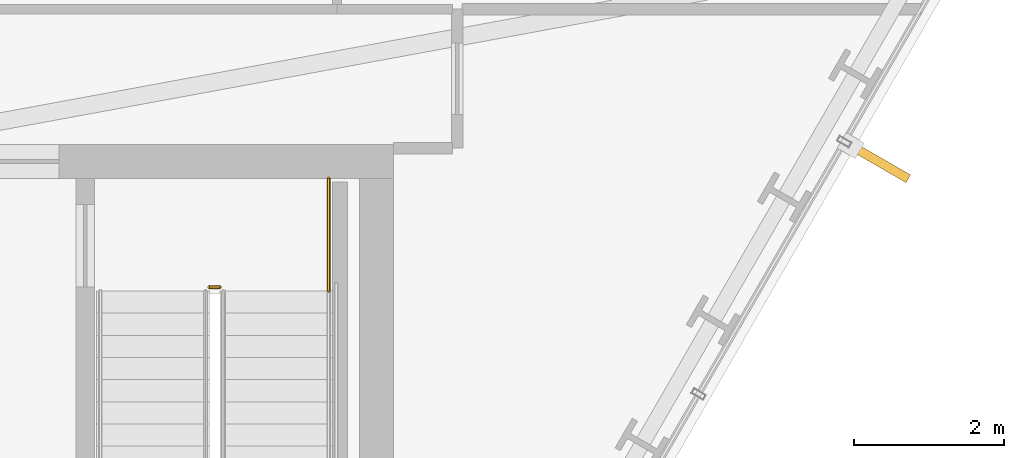
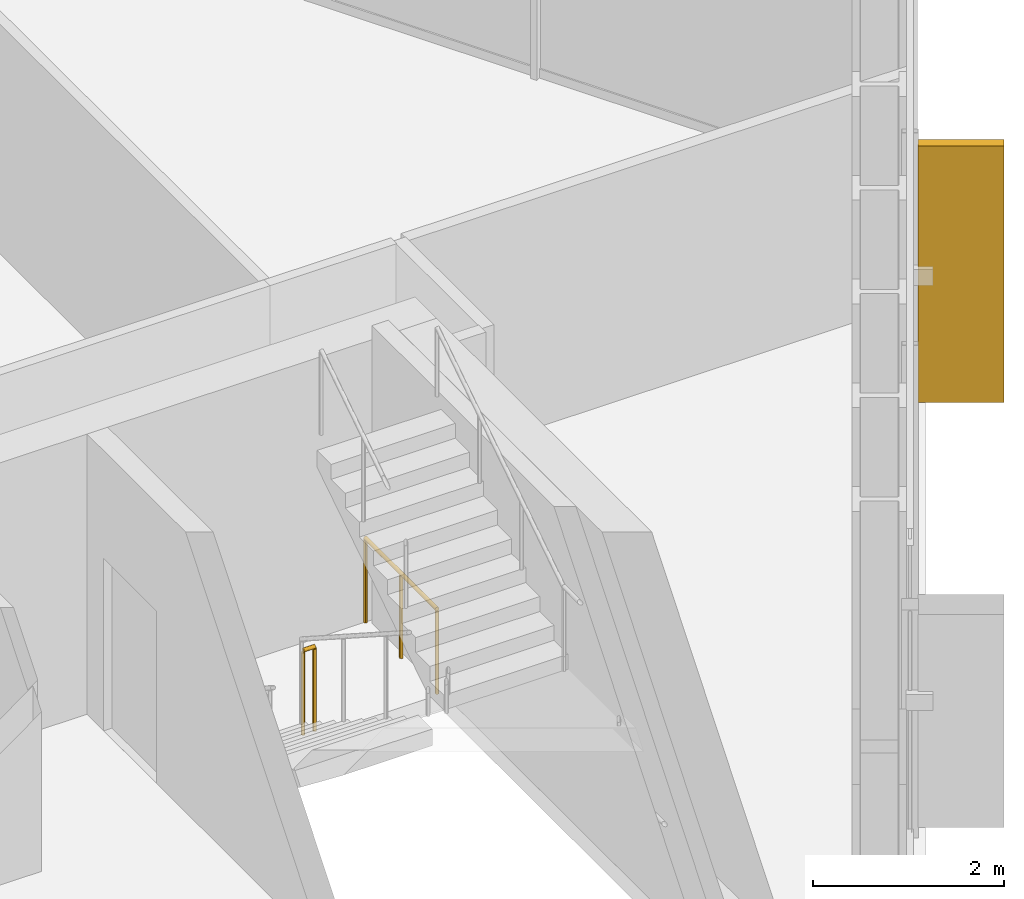
# One storey, part 31 of 32: 2 railings, 1 shading device.
"""IFC4 building model written with IfcOpenShell, lengths in metres."""

import ifcopenshell
import ifcopenshell.guid

model = None  # the IFC model being written
_history = None  # IfcOwnerHistory: only IFC2X3 demands one
_inside = {}  # id of a spatial element -> (the spatial element, [elements in it])
_under = {}  # id of a project, library or spatial element -> (it, [spatial elements below it])
_declared = {}  # id of a project -> (the project, [libraries it declares])
_typed = {}  # id of a type object -> (the type object, [elements of that type])
_made_of = {}  # id of a material, layer set ... -> (it, [elements and type objects made of it])


def new_model(schema):
    """Start an empty IFC model of exactly this schema.

    Asked for "IFC4X3", IfcOpenShell would pick the latest addendum, in which some entities
    have other attributes; the version numbers below select the first issue.
    IFC2X3 requires an IfcOwnerHistory on every rooted entity: one is made here for all.
    """
    global model, _history
    if schema == "IFC4X3":
        model = ifcopenshell.file(schema_version=(4, 3, 0, 0))
    else:
        model = ifcopenshell.file(schema=schema)
    _inside.clear()
    _under.clear()
    _declared.clear()
    _typed.clear()
    _made_of.clear()
    _history = None
    if model.schema == "IFC2X3":
        org = make("IfcOrganization", Name="unknown")
        user = make(
            "IfcPersonAndOrganization",
            ThePerson=make("IfcPerson", FamilyName="unknown"),
            TheOrganization=org,
        )
        app = make(
            "IfcApplication",
            ApplicationDeveloper=org,
            Version="unknown",
            ApplicationFullName="unknown",
            ApplicationIdentifier="unknown",
        )
        _history = make(
            "IfcOwnerHistory",
            OwningUser=user,
            OwningApplication=app,
            ChangeAction="ADDED",
            CreationDate=0,
        )
    return model


def make(cls, **values):
    """One entity of the class cls with the attributes given. An attribute that is None is left unset."""
    return model.create_entity(
        cls, **{name: value for name, value in values.items() if value is not None}
    )


def rooted(cls, **values):
    """An entity with a GlobalId (a new one), such as an element, a storey or a relation."""
    return make(cls, GlobalId=ifcopenshell.guid.new(), OwnerHistory=_history, **values)


def si_unit(unit_type, name, prefix=None):
    """IfcSIUnit, for example si_unit("LENGTHUNIT", "METRE", prefix="MILLI")."""
    return make("IfcSIUnit", UnitType=unit_type, Prefix=prefix, Name=name)


def assignment(units):
    """IfcUnitAssignment: the units of a project."""
    return None if units is None else make("IfcUnitAssignment", Units=units)


def point(xyz):
    """IfcCartesianPoint."""
    return None if xyz is None else make("IfcCartesianPoint", Coordinates=xyz)


def direction(xyz):
    """IfcDirection."""
    return None if xyz is None else make("IfcDirection", DirectionRatios=xyz)


def frame(location, z_axis=None, x_axis=None):
    """IfcAxis2Placement3D, a coordinate frame: its origin and axes. An axis left out is left unset."""
    return make(
        "IfcAxis2Placement3D",
        Location=point(location),
        Axis=direction(z_axis),
        RefDirection=direction(x_axis),
    )


def frame_2d(location, x_axis=None):
    """IfcAxis2Placement2D, a coordinate frame in the plane: its origin and x axis."""
    return make(
        "IfcAxis2Placement2D", Location=point(location), RefDirection=direction(x_axis)
    )


def origin():
    """The frame at (0, 0, 0) with its axes left unset."""
    return frame((0.0, 0.0, 0.0))


def origin_2d():
    """The frame at (0, 0) in the plane with its x axis left unset."""
    return frame_2d((0.0, 0.0))


def place(relative_to, where):
    """IfcLocalPlacement: puts the frame where relative to a parent placement (None: the world)."""
    return make(
        "IfcLocalPlacement", PlacementRelTo=relative_to, RelativePlacement=where
    )


def context(
    kind, dimensions, precision=None, world=None, true_north=None, identifier=None
):
    """IfcGeometricRepresentationContext, for example the 3D "Model" context."""
    return make(
        "IfcGeometricRepresentationContext",
        ContextIdentifier=identifier,
        ContextType=kind,
        CoordinateSpaceDimension=dimensions,
        Precision=precision,
        WorldCoordinateSystem=world,
        TrueNorth=true_north,
    )


def subcontext(parent, identifier, kind, view, scale=None):
    """IfcGeometricRepresentationSubContext, for example "Body" below "Model"."""
    return make(
        "IfcGeometricRepresentationSubContext",
        ContextIdentifier=identifier,
        ContextType=kind,
        ParentContext=parent,
        TargetScale=scale,
        TargetView=view,
    )


def project(units=None, contexts=None):
    """IfcProject with its units and contexts."""
    return rooted(
        "IfcProject",
        Name="project",
        RepresentationContexts=contexts,
        UnitsInContext=assignment(units),
    )


def spatial(cls, under=None, at=None, **own):
    """A site, building, storey or space (cls), placed at a placement, below another one or the project."""
    s = rooted(cls, ObjectPlacement=at, **own)
    if under is not None:
        _under.setdefault(under.id(), (under, []))[1].append(s)
    return s


def profile(cls, at=None, kind="AREA", **sizes):
    """A parametric profile (cls). Its sizes go by their IFC names, for example OverallWidth=200.0."""
    return make(cls, ProfileType=kind, Position=at, **sizes)


def rectangle(**sizes):
    """IfcRectangleProfileDef."""
    return profile("IfcRectangleProfileDef", **sizes)


def circle(**sizes):
    """IfcCircleProfileDef."""
    return profile("IfcCircleProfileDef", **sizes)


def extrude(swept, where, along, depth):
    """IfcExtrudedAreaSolid: the profile swept, set in the frame where, extruded along a direction by depth."""
    return make(
        "IfcExtrudedAreaSolid",
        SweptArea=swept,
        Position=where,
        ExtrudedDirection=direction(along),
        Depth=depth,
    )


def shape(context_of_items, identifier, shape_type, items):
    """IfcShapeRepresentation: the items that make up one representation, for example the "Body"."""
    return make(
        "IfcShapeRepresentation",
        ContextOfItems=context_of_items,
        RepresentationIdentifier=identifier,
        RepresentationType=shape_type,
        Items=items,
    )


def material(Name=None, Category=None):
    """IfcMaterial."""
    return make("IfcMaterial", Name=Name, Category=Category)


def layer(
    of_material, thickness, ventilated=None, Name=None, Category=None, Priority=None
):
    """IfcMaterialLayer: one layer of a wall or slab, of a material (None: an air gap)."""
    return make(
        "IfcMaterialLayer",
        Material=of_material,
        LayerThickness=thickness,
        IsVentilated=ventilated,
        Name=Name,
        Category=Category,
        Priority=Priority,
    )


def layer_set(layers, Name=None):
    """IfcMaterialLayerSet."""
    return make("IfcMaterialLayerSet", MaterialLayers=layers, LayerSetName=Name)


def made_of(thing, what):
    """Note that an element or type object is made of a material, layer set ...; save() writes the relation."""
    if what is not None:
        _made_of.setdefault(what.id(), (what, []))[1].append(thing)
    return thing


def type_object(cls, material=None, **own):
    """A type object (cls), such as IfcWallType, which elements share."""
    return made_of(rooted(cls, **own), material)


def element(
    cls,
    number,
    at=None,
    inside=None,
    cuts=None,
    type_object=None,
    material=None,
    context=None,
    identifier="Body",
    shape_type=None,
    held_by="IfcProductDefinitionShape",
    body=None,
    shapes=None,
    **own,
):
    """One element of the class cls, such as IfcWall. Its Tag is "e" and its number.

    at: its placement. inside: the storey or other place that contains it. cuts: it is an
    opening in that element (IfcRelVoidsElement). A single representation is given by context,
    identifier, shape_type and body (its items); several are given by shapes. held_by: the class
    of the entity that holds the representations. save() writes the other relations.
    """
    e = rooted(cls, Tag="e%d" % number, ObjectPlacement=at, **own)
    if body is not None:
        shapes = [shape(context, identifier, shape_type, body)]
    if shapes is not None:
        e.Representation = make(held_by, Representations=shapes)
    if inside is not None:
        _inside.setdefault(inside.id(), (inside, []))[1].append(e)
    if cuts is not None:
        rooted(
            "IfcRelVoidsElement", RelatingBuildingElement=cuts, RelatedOpeningElement=e
        )
    if type_object is not None:
        _typed.setdefault(type_object.id(), (type_object, []))[1].append(e)
    return made_of(e, material)


def aggregate(whole, parts):
    """IfcRelAggregates: a whole, such as a stair, and the parts it consists of."""
    return rooted("IfcRelAggregates", RelatingObject=whole, RelatedObjects=parts)


def save(model, path):
    """Write the relations noted so far, then the file.

    IfcRelAggregates (storeys below a building ...), IfcRelContainedInSpatialStructure (elements
    in a storey), IfcRelDefinesByType, IfcRelAssociatesMaterial and IfcRelDeclares: one each for
    every whole, place, type object, material and project.
    """
    for whole, parts in _under.values():
        aggregate(whole, parts)
    for where, things in _inside.values():
        rooted(
            "IfcRelContainedInSpatialStructure",
            RelatedElements=things,
            RelatingStructure=where,
        )
    for kind, things in _typed.values():
        rooted("IfcRelDefinesByType", RelatedObjects=things, RelatingType=kind)
    for what, things in _made_of.values():
        rooted("IfcRelAssociatesMaterial", RelatedObjects=things, RelatingMaterial=what)
    for by, libraries in _declared.values():
        rooted("IfcRelDeclares", RelatingContext=by, RelatedDefinitions=libraries)
    model.write(path)


model = new_model("IFC4")

# Units and contexts
model_context = context("Model", 3, precision=1e-05, world=origin(), true_north=direction((0.0, 1.0)))
body_context = subcontext(model_context, "Body", "Model", "MODEL_VIEW")
ifc_project = project(units=[si_unit("LENGTHUNIT", "METRE"), si_unit("AREAUNIT", "SQUARE_METRE"), si_unit("VOLUMEUNIT", "CUBIC_METRE"), si_unit("PLANEANGLEUNIT", "RADIAN"), si_unit("MASSUNIT", "GRAM", prefix="KILO")], contexts=[model_context])

# Site, building, storey
site_placement = place(None, origin())
site = spatial("IfcSite", under=ifc_project, at=site_placement, CompositionType="ELEMENT")
building_placement = place(site_placement, origin())
building = spatial("IfcBuilding", under=site, at=building_placement, Name="Ndaravel Arena Tower", CompositionType="ELEMENT")
storey_placement = place(building_placement, frame((0.0, 0.0, 58.800048828125)))
storey = spatial("IfcBuildingStorey", under=building, at=storey_placement, Name="L12", CompositionType="ELEMENT", Elevation=58.800048828125)

# Railings
ifc_material_1 = material(Name="Steel S355", Category="steel")
ifc_layer = layer(ifc_material_1, 0.06005859375)
ifc_layer_set = layer_set([ifc_layer], Name="Steel S355")
railing_type = type_object("IfcRailingType", Name="RAIL-STAIR-GD1100", PredefinedType="GUARDRAIL", material=ifc_layer_set)
railing_1_placement = place(storey_placement, frame((55.10009765625, 13.300048828125, 0.0)))
element("IfcRailing", 1, at=railing_1_placement, inside=storey, type_object=railing_type, Name="L12 ST-3 stair guard 4", PredefinedType="GUARDRAIL", context=body_context, shape_type="SweptSolid", body=[
    extrude(circle(Radius=0.02392578125, at=origin_2d()), frame((0.0, 0.0, 1.076171875), z_axis=(1.0, 0.0, 0.0), x_axis=(0.0, 1.0, 0.0)), (0.0, 0.0, 1.0), 0.139892578125),
    extrude(circle(Radius=0.02099609375, at=origin_2d()), origin(), (0.0, 0.0, 1.0), 1.052001953125),
    extrude(circle(Radius=0.02099609375, at=origin_2d()), frame((0.139892578125, 0.0, 0.0)), (0.0, 0.0, 1.0), 1.052001953125),
])
railing_2_placement = place(storey_placement, frame((56.68994140625, 14.75, 0.0)))
element("IfcRailing", 2, at=railing_2_placement, inside=storey, type_object=railing_type, Name="L12 ST-3 stair guard 5", PredefinedType="GUARDRAIL", context=body_context, shape_type="SweptSolid", body=[
    extrude(circle(Radius=0.02392578125, at=origin_2d()), frame((0.0, 0.0, 1.076171875), z_axis=(0.0, -1.0, 0.0), x_axis=(1.0, 0.0, 0.0)), (0.0, 0.0, 1.0), 1.5),
    extrude(circle(Radius=0.02099609375, at=origin_2d()), origin(), (0.0, 0.0, 1.0), 1.052001953125),
    extrude(circle(Radius=0.02099609375, at=origin_2d()), frame((0.0, -0.75, 0.0)), (0.0, 0.0, 1.0), 1.052001953125),
    extrude(circle(Radius=0.02099609375, at=origin_2d()), frame((0.0, -1.5, 0.0)), (0.0, 0.0, 1.0), 1.052001953125),
])

# Shading device
ifc_material_2 = material(Name="Masonry", Category="masonry")
shading_device_type = type_object("IfcShadingDeviceType", Name="SHD-MAZERAS-FIN", PredefinedType="SHUTTER", material=ifc_material_2)
shading_device_placement = place(storey_placement, frame((64.014404296875, 14.968505859375, 0.14990234375), z_axis=(0.0, 0.0, 1.0), x_axis=(0.866025403784, -0.5, 0.0)))
element("IfcShadingDevice", 3, at=shading_device_placement, inside=storey, type_object=shading_device_type, Name="L12 Mazeras Stone Solar Fin E2.2", PredefinedType="SHUTTER", context=body_context, shape_type="SweptSolid", body=[
    extrude(rectangle(XDim=0.89990234375, YDim=0.1201171875, at=origin_2d()), origin(), (0.0, 0.0, 1.0), 3.280029296875),
])

save(model, "model.ifc")
